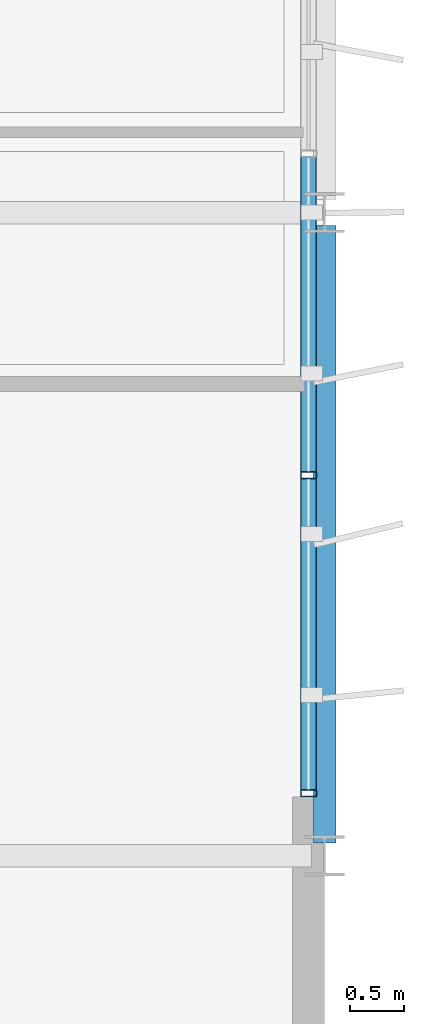
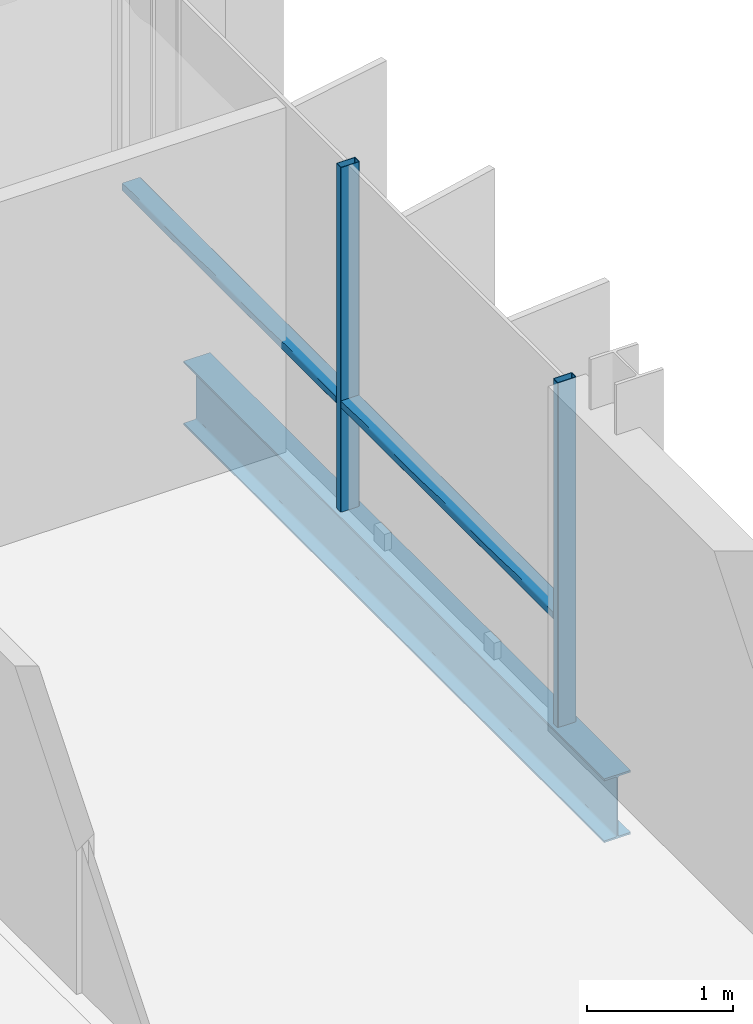
# One storey, part 11 of 30: 4 members, 1 beam, 1 element without a shape of its own.
"""IFC4 building model written with IfcOpenShell, lengths in metres."""

from ifc_helpers import new_model, si_unit, direction, frame, origin, origin_2d, place, context, subcontext, project, spatial, hollow_rectangle, i_section, extrude, material, layer, layer_set, material_profile, profile_set, type_object, element, aggregate, save


model = new_model("IFC4")

# Units and contexts
model_context = context("Model", 3, precision=1e-05, world=origin(), true_north=direction((0.0, 1.0)))
body_context = subcontext(model_context, "Body", "Model", "MODEL_VIEW")
ifc_project = project(units=[si_unit("LENGTHUNIT", "METRE"), si_unit("AREAUNIT", "SQUARE_METRE"), si_unit("VOLUMEUNIT", "CUBIC_METRE"), si_unit("PLANEANGLEUNIT", "RADIAN"), si_unit("MASSUNIT", "GRAM", prefix="KILO")], contexts=[model_context])

# Site, building, storey
site_placement = place(None, origin())
site = spatial("IfcSite", under=ifc_project, at=site_placement, CompositionType="ELEMENT")
building_placement = place(site_placement, origin())
building = spatial("IfcBuilding", under=site, at=building_placement, Name="Brevholm Reach", CompositionType="ELEMENT")
storey_placement = place(building_placement, frame((0.0, 0.0, 211.10009765625)))
storey = spatial("IfcBuildingStorey", under=building, at=storey_placement, Name="L64", CompositionType="ELEMENT", Elevation=211.10009765625)

# Beam
ifc_material_1 = material(Name="Structural Steel S355J2", Category="steel")
ifc_material_profile_1 = material_profile(ifc_material_1, i_section(OverallWidth=0.209228515625, OverallDepth=0.533203125, WebThickness=0.010009765625, FlangeThickness=0.015625, FilletRadius=0.0126953125, at=origin_2d()), Name="UKB 533x210x92")
ifc_profile_set_1 = profile_set([ifc_material_profile_1], Name="Structural Steel S355J2")
beam_type = type_object("IfcBeamType", Name="BM-SP533", PredefinedType="SPANDREL", material=ifc_profile_set_1)
beam_placement = place(storey_placement, frame((60.0, 10.1201171875, -0.4765625), z_axis=(0.0, 1.0, 0.0), x_axis=(-1.0, 0.0, 0.0)))
element("IfcBeam", 1, at=beam_placement, inside=storey, type_object=beam_type, Name="L64 SP-02 Framing Beam", PredefinedType="SPANDREL", context=body_context, shape_type="SweptSolid", body=[
    extrude(i_section(OverallWidth=0.209228515625, OverallDepth=0.533203125, WebThickness=0.010009765625, FlangeThickness=0.015625, FilletRadius=0.0126953125, at=origin_2d()), origin(), (0.0, 0.0, 1.0), 5.759765625),
])

# Curtain wall, members
ifc_material_2 = material(Name="Dark Anodised Aluminium 6063-T6 and Solar-Control Glass", Category="aluminium")
ifc_layer = layer(ifc_material_2, 0.14990234375)
ifc_layer_set = layer_set([ifc_layer], Name="Dark Anodised Aluminium 6063-T6 and Solar-Control Glass")
curtain_wall_type = type_object("IfcCurtainWallType", Name="CW-01", PredefinedType="NOTDEFINED", material=ifc_layer_set)
curtain_wall_placement = place(storey_placement, origin())
curtain_wall = element("IfcCurtainWall", 2, at=curtain_wall_placement, inside=storey, type_object=curtain_wall_type, Name="L64 Curtain Wall CW-01", PredefinedType="NOTDEFINED")
ifc_material_3 = material(Name="Dark Anodised Aluminium 6063-T6", Category="aluminium")
ifc_material_profile_2 = material_profile(ifc_material_3, hollow_rectangle(XDim=0.06494140625, YDim=0.14990234375, WallThickness=0.0048828125, InnerFilletRadius=0.0048828125, OuterFilletRadius=0.010009765625, at=origin_2d()), Name="RHS 150x65x5")
ifc_profile_set_2 = profile_set([ifc_material_profile_2], Name="Dark Anodised Aluminium 6063-T6")
member_type_1 = type_object("IfcMemberType", Name="CWM-150", PredefinedType="MULLION", material=ifc_profile_set_2)
member_1_placement = place(storey_placement, frame((59.85009765625, 10.58251953125, 0.0), z_axis=(0.0, 0.0, 1.0), x_axis=(0.0, 1.0, 0.0)))
member_1 = element("IfcMember", 3, at=member_1_placement, type_object=member_type_1, Name="CM-150 Mullion 1", PredefinedType="MULLION", context=body_context, shape_type="SweptSolid", body=[
    extrude(hollow_rectangle(XDim=0.06494140625, YDim=0.14990234375, WallThickness=0.0048828125, InnerFilletRadius=0.0048828125, OuterFilletRadius=0.010009765625, at=origin_2d()), origin(), (0.0, 0.0, 1.0), 2.8798828125),
])
member_2_placement = place(storey_placement, frame((59.85009765625, 13.550048828125, 0.0), z_axis=(0.0, 0.0, 1.0), x_axis=(0.0, 1.0, 0.0)))
member_2 = element("IfcMember", 4, at=member_2_placement, type_object=member_type_1, Name="CM-150 Mullion 2", PredefinedType="MULLION", context=body_context, shape_type="SweptSolid", body=[
    extrude(hollow_rectangle(XDim=0.06494140625, YDim=0.14990234375, WallThickness=0.0048828125, InnerFilletRadius=0.0048828125, OuterFilletRadius=0.010009765625, at=origin_2d()), origin(), (0.0, 0.0, 1.0), 2.8798828125),
])
ifc_material_4 = material(Name="Dark Anodised Aluminium 6063-T6", Category="aluminium")
ifc_material_profile_3 = material_profile(ifc_material_4, hollow_rectangle(XDim=0.06494140625, YDim=0.14990234375, WallThickness=0.0048828125, InnerFilletRadius=0.0048828125, OuterFilletRadius=0.010009765625, at=origin_2d()), Name="RHS 150x65x5")
ifc_profile_set_3 = profile_set([ifc_material_profile_3], Name="Dark Anodised Aluminium 6063-T6")
member_type_2 = type_object("IfcMemberType", Name="CWT-150", PredefinedType="NOTDEFINED", material=ifc_profile_set_3)
member_3_placement = place(storey_placement, frame((59.85009765625, 10.614990234375, 0.89990234375), z_axis=(0.0, 1.0, 0.0), x_axis=(0.0, 0.0, 1.0)))
member_3 = element("IfcMember", 5, at=member_3_placement, type_object=member_type_2, Name="CT-150 Transom 1.1", ObjectType="TRANSOM", PredefinedType="USERDEFINED", context=body_context, shape_type="SweptSolid", body=[
    extrude(hollow_rectangle(XDim=0.06494140625, YDim=0.14990234375, WallThickness=0.0048828125, InnerFilletRadius=0.0048828125, OuterFilletRadius=0.010009765625, at=origin_2d()), origin(), (0.0, 0.0, 1.0), 2.902587890625),
])
member_4_placement = place(storey_placement, frame((59.85009765625, 13.58251953125, 0.89990234375), z_axis=(0.0, 1.0, 0.0), x_axis=(0.0, 0.0, 1.0)))
member_4 = element("IfcMember", 6, at=member_4_placement, type_object=member_type_2, Name="CT-150 Transom 2.1", ObjectType="TRANSOM", PredefinedType="USERDEFINED", context=body_context, shape_type="SweptSolid", body=[
    extrude(hollow_rectangle(XDim=0.06494140625, YDim=0.14990234375, WallThickness=0.0048828125, InnerFilletRadius=0.0048828125, OuterFilletRadius=0.010009765625, at=origin_2d()), origin(), (0.0, 0.0, 1.0), 2.93505859375),
])
aggregate(curtain_wall, [member_1, member_2, member_3, member_4])

save(model, "model.ifc")
